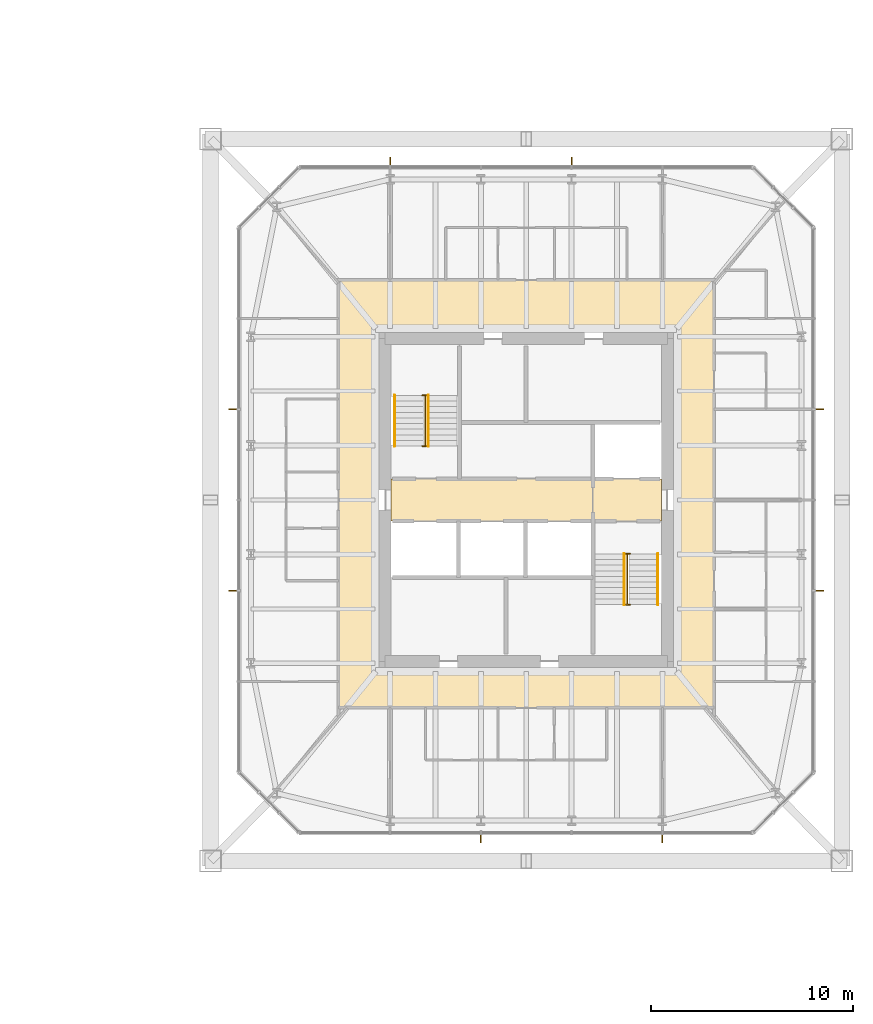
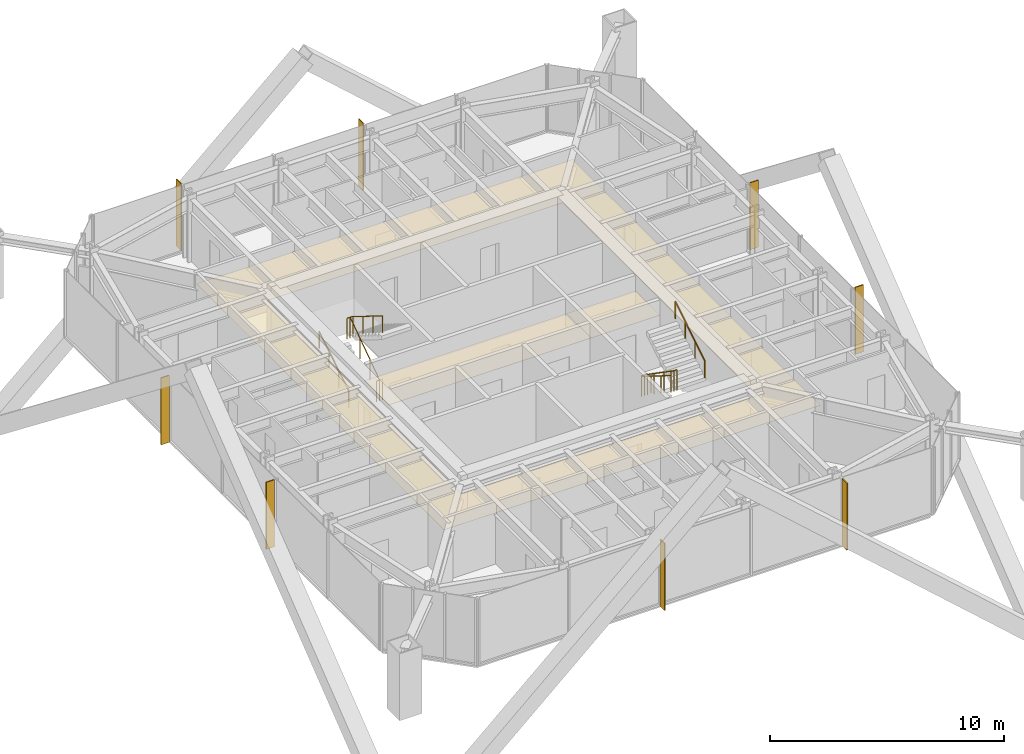
# One storey, part 25 of 25: 8 shading devices, 6 railings, 3 coverings.
"""IFC4 building model written with IfcOpenShell, lengths in metres."""

from ifc_helpers import new_model, si_unit, direction, frame, origin, origin_2d, place, context, subcontext, project, spatial, polyline, rectangle, circle, outline, extrude, material, layer, layer_set, constituent, constituent_set, type_object, element, save


model = new_model("IFC4")

# Units and contexts
model_context = context("Model", 3, precision=1e-05, world=origin(), true_north=direction((0.0, 1.0)))
body_context = subcontext(model_context, "Body", "Model", "MODEL_VIEW")
ifc_project = project(units=[si_unit("LENGTHUNIT", "METRE"), si_unit("AREAUNIT", "SQUARE_METRE"), si_unit("VOLUMEUNIT", "CUBIC_METRE"), si_unit("PLANEANGLEUNIT", "RADIAN"), si_unit("MASSUNIT", "GRAM", prefix="KILO")], contexts=[model_context])

# Site, building, storey
site_placement = place(None, origin())
site = spatial("IfcSite", under=ifc_project, at=site_placement, CompositionType="ELEMENT")
building_placement = place(site_placement, origin())
building = spatial("IfcBuilding", under=site, at=building_placement, Name="Iwan Alto Co-Living Towers", CompositionType="ELEMENT")
storey_placement = place(building_placement, frame((0.0, 0.0, 108.5)))
storey = spatial("IfcBuildingStorey", under=building, at=storey_placement, Name="L29", CompositionType="ELEMENT", Elevation=108.5)

# Coverings
ifc_material_1 = material(Name="Mineral fibre acoustic tiles on steel grid", Category="steel")
ifc_layer_1 = layer(ifc_material_1, 0.02001953125)
ifc_layer_set_1 = layer_set([ifc_layer_1], Name="ACOUSTIC TILE CEILING 20")
covering_type_1 = type_object("IfcCoveringType", Name="ACOUSTIC TILE CEILING 20", PredefinedType="CEILING", material=ifc_layer_set_1)
covering_1_placement = place(storey_placement, frame((0.0, 0.0, 2.60009765625)))
element("IfcCovering", 1, at=covering_1_placement, inside=storey, type_object=covering_type_1, Name="Ceiling Lift lobby L29", PredefinedType="CEILING", context=body_context, shape_type="SweptSolid", body=[
    extrude(outline(polyline([(56.300048828125, -1.050048828125), (56.300048828125, 1.050048828125), (66.300048828125, 1.050048828125), (66.300048828125, -1.050048828125), (56.300048828125, -1.050048828125)])), origin(), (0.0, 0.0, 1.0), 0.02001953125),
])
covering_2_placement = place(storey_placement, frame((0.0, 0.0, 2.60009765625)))
element("IfcCovering", 2, at=covering_2_placement, inside=storey, type_object=covering_type_1, Name="Ceiling Firefighting lobby L29", PredefinedType="CEILING", context=body_context, shape_type="SweptSolid", body=[
    extrude(outline(polyline([(66.300048828125, -1.050048828125), (66.300048828125, 1.050048828125), (69.699951171875, 1.050048828125), (69.699951171875, -1.050048828125), (66.300048828125, -1.050048828125)])), origin(), (0.0, 0.0, 1.0), 0.02001953125),
])

# Shading devices
ifc_material_2 = material(Name="Aluminium 6063-T6 bronze anodised", Category="aluminium")
ifc_layer_2 = layer(ifc_material_2, 0.050048828125)
ifc_layer_set_2 = layer_set([ifc_layer_2], Name="BRONZE FIN 50X400")
shading_device_type = type_object("IfcShadingDeviceType", Name="BRONZE FIN 50X400", PredefinedType="USERDEFINED", material=ifc_layer_set_2)
for number, where, z_axis, x_axis, name in (
    (3, (60.75, -16.800048828125, 0.0), (0.0, 0.0, 1.0), (1.0, 0.0, 0.0), "Bronze fin L29"),
    (4, (69.75, -16.800048828125, 0.0), (0.0, 0.0, 1.0), (1.0, 0.0, 0.0), "Bronze fin L29"),
    (5, (77.550048828125, -4.5, 0.0), (0.0, 0.0, 1.0), (0.0, 1.0, 0.0), "Bronze fin L29"),
    (6, (77.550048828125, 4.5, 0.0), (0.0, 0.0, 1.0), (0.0, 1.0, 0.0), "Bronze fin L29"),
    (7, (65.25, 16.800048828125, 0.0), (0.0, 0.0, 1.0), (-1.0, 0.0, 0.0), "Bronze fin L29"),
    (8, (56.25, 16.800048828125, 0.0), (0.0, 0.0, 1.0), (-1.0, 0.0, 0.0), "Bronze fin L29"),
    (9, (48.449951171875, 4.5, 0.0), (0.0, 0.0, 1.0), (0.0, -1.0, 0.0), "Bronze fin L29"),
    (10, (48.449951171875, -4.5, 0.0), (0.0, 0.0, 1.0), (0.0, -1.0, 0.0), "Bronze fin L29"),
):
    element("IfcShadingDevice", number, at=place(storey_placement, frame(where, z_axis=z_axis, x_axis=x_axis)), inside=storey, type_object=shading_device_type, Name=name, ObjectType="LOUVER", PredefinedType="USERDEFINED", context=body_context, shape_type="SweptSolid", body=[
        extrude(rectangle(XDim=0.050048828125, YDim=0.39990234375, at=origin_2d()), origin(), (0.0, 0.0, 1.0), 3.5),
    ])

# Railings
ifc_material_3 = material(Name="Steel ASTM A500 Gr C", Category="steel")
ifc_constituent_1 = constituent(ifc_material_3, Name="Rails and posts", Category="Framing")
ifc_material_4 = material(Name="Steel ASTM A36", Category="steel")
ifc_constituent_2 = constituent(ifc_material_4, Name="Bar infill", Category="Infill")
ifc_constituent_set = constituent_set(constituents=[ifc_constituent_1, ifc_constituent_2], Name="STAIR GUARD 1100")
railing_type_1 = type_object("IfcRailingType", Name="STAIR GUARD 1100", PredefinedType="GUARDRAIL", material=ifc_constituent_set)
railing_1_placement = place(storey_placement, frame((58.0, 2.669921875, 0.0)))
element("IfcRailing", 11, at=railing_1_placement, inside=storey, type_object=railing_type_1, Name="Stair T2-S1 well guard L29", PredefinedType="GUARDRAIL", context=body_context, shape_type="SweptSolid", body=[
    extrude(circle(Radius=0.02392578125, at=origin_2d()), frame((0.0, 0.0, 1.076171875), z_axis=(0.0, 0.821372036852, 0.570392826987), x_axis=(-1.0, 0.0, 0.0)), (0.0, 0.0, 1.0), 3.068115234375),
    extrude(circle(Radius=0.02392578125, at=origin_2d()), frame((-0.14990234375, 0.0, 1.076171875), z_axis=(1.0, 0.0, 0.0), x_axis=(0.0, 1.0, 0.0)), (0.0, 0.0, 1.0), 0.2998046875),
    extrude(circle(Radius=0.02392578125, at=origin_2d()), frame((-0.14990234375, 2.52001953125, 2.826171875), z_axis=(1.0, 0.0, 0.0), x_axis=(0.0, 1.0, 0.0)), (0.0, 0.0, 1.0), 0.2998046875),
    extrude(circle(Radius=0.02099609375, at=origin_2d()), origin(), (0.0, 0.0, 1.0), 1.052001953125),
    extrude(circle(Radius=0.02099609375, at=origin_2d()), frame((0.0, 0.840087890625, 0.583251953125)), (0.0, 0.0, 1.0), 1.052001953125),
    extrude(circle(Radius=0.02099609375, at=origin_2d()), frame((0.0, 1.679931640625, 1.166748046875)), (0.0, 0.0, 1.0), 1.052001953125),
    extrude(circle(Radius=0.02099609375, at=origin_2d()), frame((0.0, 2.52001953125, 1.75)), (0.0, 0.0, 1.0), 1.052001953125),
    extrude(circle(Radius=0.02099609375, at=origin_2d()), frame((-0.14990234375, 0.0, 0.0)), (0.0, 0.0, 1.0), 1.052001953125),
    extrude(circle(Radius=0.02099609375, at=origin_2d()), frame((0.14990234375, 0.0, 0.0)), (0.0, 0.0, 1.0), 1.052001953125),
    extrude(circle(Radius=0.02099609375, at=origin_2d()), frame((-0.14990234375, 2.52001953125, 1.75)), (0.0, 0.0, 1.0), 1.052001953125),
    extrude(circle(Radius=0.02099609375, at=origin_2d()), frame((0.14990234375, 2.52001953125, 1.75)), (0.0, 0.0, 1.0), 1.052001953125),
])
railing_2_placement = place(storey_placement, frame((68.0, -2.669921875, 0.0)))
element("IfcRailing", 12, at=railing_2_placement, inside=storey, type_object=railing_type_1, Name="Stair T2-S2 well guard L29", PredefinedType="GUARDRAIL", context=body_context, shape_type="SweptSolid", body=[
    extrude(circle(Radius=0.02392578125, at=origin_2d()), frame((0.0, 0.0, 1.076171875), z_axis=(0.0, -0.821372036852, 0.570392826987), x_axis=(1.0, 0.0, 0.0)), (0.0, 0.0, 1.0), 3.068115234375),
    extrude(circle(Radius=0.02392578125, at=origin_2d()), frame((-0.14990234375, 0.0, 1.076171875), z_axis=(1.0, 0.0, 0.0), x_axis=(0.0, 1.0, 0.0)), (0.0, 0.0, 1.0), 0.2998046875),
    extrude(circle(Radius=0.02392578125, at=origin_2d()), frame((-0.14990234375, -2.52001953125, 2.826171875), z_axis=(1.0, 0.0, 0.0), x_axis=(0.0, 1.0, 0.0)), (0.0, 0.0, 1.0), 0.2998046875),
    extrude(circle(Radius=0.02099609375, at=origin_2d()), origin(), (0.0, 0.0, 1.0), 1.052001953125),
    extrude(circle(Radius=0.02099609375, at=origin_2d()), frame((0.0, -0.840087890625, 0.583251953125)), (0.0, 0.0, 1.0), 1.052001953125),
    extrude(circle(Radius=0.02099609375, at=origin_2d()), frame((0.0, -1.679931640625, 1.166748046875)), (0.0, 0.0, 1.0), 1.052001953125),
    extrude(circle(Radius=0.02099609375, at=origin_2d()), frame((0.0, -2.52001953125, 1.75)), (0.0, 0.0, 1.0), 1.052001953125),
    extrude(circle(Radius=0.02099609375, at=origin_2d()), frame((-0.14990234375, 0.0, 0.0)), (0.0, 0.0, 1.0), 1.052001953125),
    extrude(circle(Radius=0.02099609375, at=origin_2d()), frame((0.14990234375, 0.0, 0.0)), (0.0, 0.0, 1.0), 1.052001953125),
    extrude(circle(Radius=0.02099609375, at=origin_2d()), frame((-0.14990234375, -2.52001953125, 1.75)), (0.0, 0.0, 1.0), 1.052001953125),
    extrude(circle(Radius=0.02099609375, at=origin_2d()), frame((0.14990234375, -2.52001953125, 1.75)), (0.0, 0.0, 1.0), 1.052001953125),
])
ifc_material_5 = material(Name="Steel ASTM A500 Gr C", Category="steel")
railing_type_2 = type_object("IfcRailingType", Name="STAIR HANDRAIL 900", PredefinedType="HANDRAIL", material=ifc_material_5)
railing_3_placement = place(storey_placement, frame((56.469970703125, 2.669921875, 0.175048828125)))
element("IfcRailing", 13, at=railing_3_placement, inside=storey, type_object=railing_type_2, Name="Stair T2-S1 handrail 1 L29", PredefinedType="HANDRAIL", context=body_context, shape_type="SweptSolid", body=[
    extrude(circle(Radius=0.02392578125, at=origin_2d()), frame((0.0, 0.0, 0.8759765625), z_axis=(0.0, 0.848007534815, 0.529984170421), x_axis=(-1.0, 0.0, 0.0)), (0.0, 0.0, 1.0), 2.9716796875),
    extrude(circle(Radius=0.02099609375, at=origin_2d()), origin(), (0.0, 0.0, 1.0), 0.851806640625),
    extrude(circle(Radius=0.02099609375, at=origin_2d()), frame((0.0, 0.840087890625, 0.52490234375)), (0.0, 0.0, 1.0), 0.851806640625),
    extrude(circle(Radius=0.02099609375, at=origin_2d()), frame((0.0, 1.679931640625, 1.050048828125)), (0.0, 0.0, 1.0), 0.851806640625),
    extrude(circle(Radius=0.02099609375, at=origin_2d()), frame((0.0, 2.52001953125, 1.574951171875)), (0.0, 0.0, 1.0), 0.851806640625),
])
for number, where, name in (
    (14, (58.14990234375, 5.18994140625, 1.925048828125), "Stair T2-S1 handrail 2 L29"),
    (15, (67.85009765625, -2.669921875, 0.175048828125), "Stair T2-S2 handrail 1 L29"),
):
    element("IfcRailing", number, at=place(storey_placement, frame(where)), inside=storey, type_object=railing_type_2, Name=name, PredefinedType="HANDRAIL", context=body_context, shape_type="SweptSolid", body=[
        extrude(circle(Radius=0.02392578125, at=origin_2d()), frame((0.0, 0.0, 0.8759765625), z_axis=(0.0, -0.848007534815, 0.529984170421), x_axis=(1.0, 0.0, 0.0)), (0.0, 0.0, 1.0), 2.9716796875),
        extrude(circle(Radius=0.02099609375, at=origin_2d()), origin(), (0.0, 0.0, 1.0), 0.851806640625),
        extrude(circle(Radius=0.02099609375, at=origin_2d()), frame((0.0, -0.840087890625, 0.52490234375)), (0.0, 0.0, 1.0), 0.851806640625),
        extrude(circle(Radius=0.02099609375, at=origin_2d()), frame((0.0, -1.679931640625, 1.050048828125)), (0.0, 0.0, 1.0), 0.851806640625),
        extrude(circle(Radius=0.02099609375, at=origin_2d()), frame((0.0, -2.52001953125, 1.574951171875)), (0.0, 0.0, 1.0), 0.851806640625),
    ])
railing_4_placement = place(storey_placement, frame((69.530029296875, -5.18994140625, 1.925048828125)))
element("IfcRailing", 16, at=railing_4_placement, inside=storey, type_object=railing_type_2, Name="Stair T2-S2 handrail 2 L29", PredefinedType="HANDRAIL", context=body_context, shape_type="SweptSolid", body=[
    extrude(circle(Radius=0.02392578125, at=origin_2d()), frame((0.0, 0.0, 0.8759765625), z_axis=(0.0, 0.848007534815, 0.529984170421), x_axis=(-1.0, 0.0, 0.0)), (0.0, 0.0, 1.0), 2.9716796875),
    extrude(circle(Radius=0.02099609375, at=origin_2d()), origin(), (0.0, 0.0, 1.0), 0.851806640625),
    extrude(circle(Radius=0.02099609375, at=origin_2d()), frame((0.0, 0.840087890625, 0.52490234375)), (0.0, 0.0, 1.0), 0.851806640625),
    extrude(circle(Radius=0.02099609375, at=origin_2d()), frame((0.0, 1.679931640625, 1.050048828125)), (0.0, 0.0, 1.0), 0.851806640625),
    extrude(circle(Radius=0.02099609375, at=origin_2d()), frame((0.0, 2.52001953125, 1.574951171875)), (0.0, 0.0, 1.0), 0.851806640625),
])

# Covering
ifc_material_6 = material(Name="Gypsum plasterboard on steel grid", Category="steel")
ifc_layer_3 = layer(ifc_material_6, 0.014892578125)
ifc_layer_set_3 = layer_set([ifc_layer_3], Name="SUSPENDED PLASTERBOARD CEILING 15")
covering_type_2 = type_object("IfcCoveringType", Name="SUSPENDED PLASTERBOARD CEILING 15", PredefinedType="CEILING", material=ifc_layer_set_3)
covering_3_placement = place(storey_placement, frame((0.0, 0.0, 2.60009765625)))
element("IfcCovering", 17, at=covering_3_placement, inside=storey, type_object=covering_type_2, Name="Ceiling Corridor L29", PredefinedType="CEILING", context=body_context, shape_type="SweptSolid", body=[
    extrude(outline(polyline([(53.699951171875, 10.89990234375), (72.300048828125, 10.89990234375), (72.300048828125, -10.300048828125), (53.699951171875, -10.300048828125), (53.699951171875, 10.89990234375)]), holes=[polyline([(55.699951171875, 8.300048828125), (55.699951171875, -8.300048828125), (70.300048828125, -8.300048828125), (70.300048828125, 8.300048828125), (55.699951171875, 8.300048828125)])]), origin(), (0.0, 0.0, 1.0), 0.014892578125),
])

save(model, "model.ifc")
